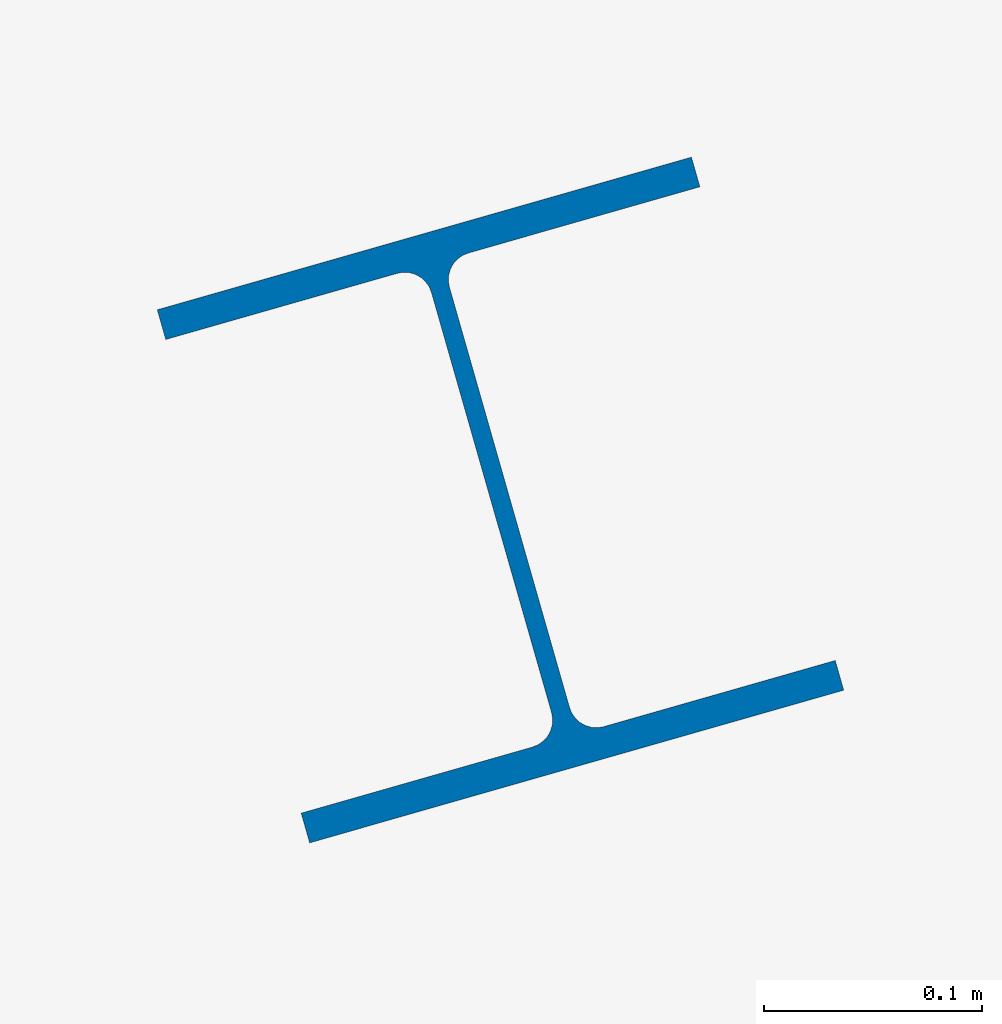
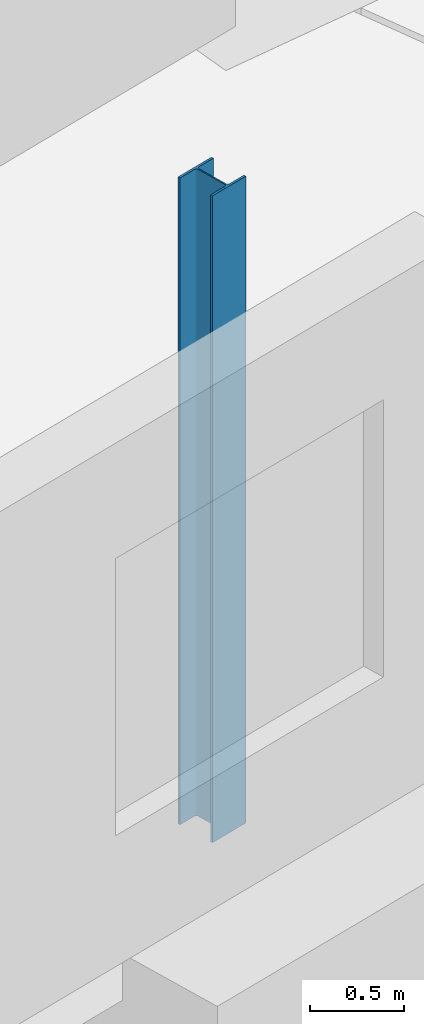
# One storey, part 15 of 113: 1 column.
"""IFC4 building model written with IfcOpenShell, lengths in metres."""

from ifc_helpers import new_model, si_unit, direction, frame, origin, origin_2d, place, context, subcontext, project, spatial, i_section, extrude, material, material_profile, profile_set, type_object, element, save


model = new_model("IFC4")

# Units and contexts
model_context = context("Model", 3, precision=1e-05, world=origin(), true_north=direction((0.0, 1.0)))
body_context = subcontext(model_context, "Body", "Model", "MODEL_VIEW")
ifc_project = project(units=[si_unit("LENGTHUNIT", "METRE"), si_unit("AREAUNIT", "SQUARE_METRE"), si_unit("VOLUMEUNIT", "CUBIC_METRE"), si_unit("PLANEANGLEUNIT", "RADIAN"), si_unit("MASSUNIT", "GRAM", prefix="KILO")], contexts=[model_context])

# Site, building, storey
site_placement = place(None, origin())
site = spatial("IfcSite", under=ifc_project, at=site_placement, CompositionType="ELEMENT")
building_placement = place(site_placement, origin())
building = spatial("IfcBuilding", under=site, at=building_placement, Name="Wrenclough Park School", CompositionType="ELEMENT")
storey_placement = place(building_placement, origin())
storey = spatial("IfcBuildingStorey", under=building, at=storey_placement, Name="L00", CompositionType="ELEMENT", Elevation=0.0)

# Column
ifc_material = material(Name="Structural steel S355", Category="steel")
ifc_material_profile = material_profile(ifc_material, i_section(OverallWidth=0.254638671875, OverallDepth=0.254150390625, WebThickness=0.008544921875, FlangeThickness=0.01416015625, FilletRadius=0.0126953125, at=origin_2d()), Name="UKC 254x254x73")
ifc_profile_set = profile_set([ifc_material_profile], Name="Structural steel S355")
column_type = type_object("IfcColumnType", Name="STR-COL-UKC254A", PredefinedType="COLUMN", material=ifc_profile_set)
column_placement = place(storey_placement, frame((64.176513671875, 98.85791015625, 0.0), z_axis=(0.0, 0.0, 1.0), x_axis=(0.961501868857, 0.27479839189, 0.0)))
element("IfcColumn", 1, at=column_placement, inside=storey, type_object=column_type, Name="W34 L00 column W34-C1-R07", PredefinedType="COLUMN", context=body_context, shape_type="SweptSolid", body=[
    extrude(i_section(OverallWidth=0.254638671875, OverallDepth=0.254150390625, WebThickness=0.008544921875, FlangeThickness=0.01416015625, FilletRadius=0.0126953125, at=origin_2d()), origin(), (0.0, 0.0, 1.0), 4.199951171875),
])

save(model, "model.ifc")
